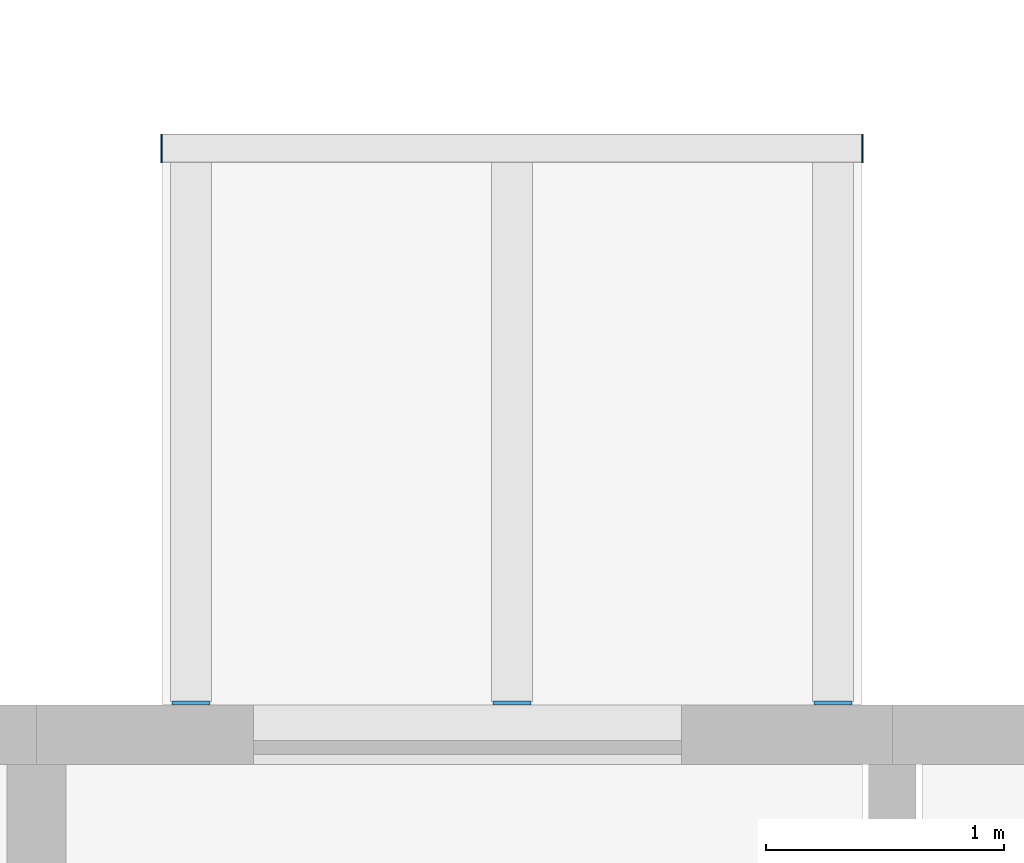
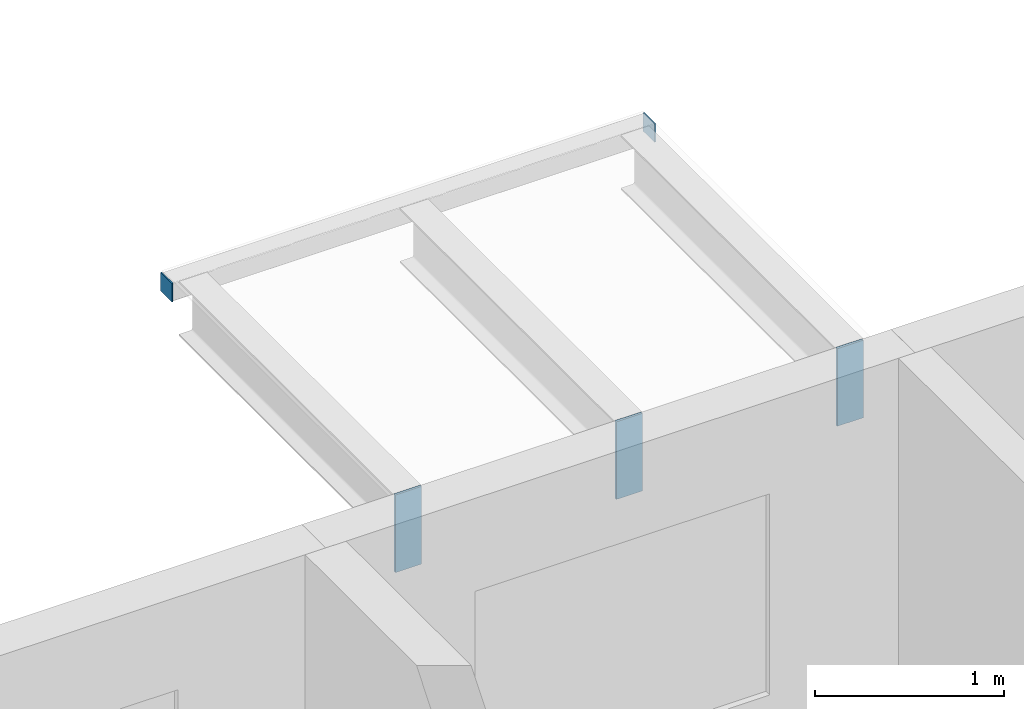
# One storey, part 69 of 99: 5 discrete accessories.
"""IFC4 building model written with IfcOpenShell, lengths in metres."""

import ifcopenshell
import ifcopenshell.guid

model = None  # the IFC model being written
_history = None  # IfcOwnerHistory: only IFC2X3 demands one
_inside = {}  # id of a spatial element -> (the spatial element, [elements in it])
_under = {}  # id of a project, library or spatial element -> (it, [spatial elements below it])
_declared = {}  # id of a project -> (the project, [libraries it declares])
_typed = {}  # id of a type object -> (the type object, [elements of that type])
_made_of = {}  # id of a material, layer set ... -> (it, [elements and type objects made of it])


def new_model(schema):
    """Start an empty IFC model of exactly this schema.

    Asked for "IFC4X3", IfcOpenShell would pick the latest addendum, in which some entities
    have other attributes; the version numbers below select the first issue.
    IFC2X3 requires an IfcOwnerHistory on every rooted entity: one is made here for all.
    """
    global model, _history
    if schema == "IFC4X3":
        model = ifcopenshell.file(schema_version=(4, 3, 0, 0))
    else:
        model = ifcopenshell.file(schema=schema)
    _inside.clear()
    _under.clear()
    _declared.clear()
    _typed.clear()
    _made_of.clear()
    _history = None
    if model.schema == "IFC2X3":
        org = make("IfcOrganization", Name="unknown")
        user = make(
            "IfcPersonAndOrganization",
            ThePerson=make("IfcPerson", FamilyName="unknown"),
            TheOrganization=org,
        )
        app = make(
            "IfcApplication",
            ApplicationDeveloper=org,
            Version="unknown",
            ApplicationFullName="unknown",
            ApplicationIdentifier="unknown",
        )
        _history = make(
            "IfcOwnerHistory",
            OwningUser=user,
            OwningApplication=app,
            ChangeAction="ADDED",
            CreationDate=0,
        )
    return model


def make(cls, **values):
    """One entity of the class cls with the attributes given. An attribute that is None is left unset."""
    return model.create_entity(
        cls, **{name: value for name, value in values.items() if value is not None}
    )


def rooted(cls, **values):
    """An entity with a GlobalId (a new one), such as an element, a storey or a relation."""
    return make(cls, GlobalId=ifcopenshell.guid.new(), OwnerHistory=_history, **values)


def si_unit(unit_type, name, prefix=None):
    """IfcSIUnit, for example si_unit("LENGTHUNIT", "METRE", prefix="MILLI")."""
    return make("IfcSIUnit", UnitType=unit_type, Prefix=prefix, Name=name)


def assignment(units):
    """IfcUnitAssignment: the units of a project."""
    return None if units is None else make("IfcUnitAssignment", Units=units)


def point(xyz):
    """IfcCartesianPoint."""
    return None if xyz is None else make("IfcCartesianPoint", Coordinates=xyz)


def direction(xyz):
    """IfcDirection."""
    return None if xyz is None else make("IfcDirection", DirectionRatios=xyz)


def frame(location, z_axis=None, x_axis=None):
    """IfcAxis2Placement3D, a coordinate frame: its origin and axes. An axis left out is left unset."""
    return make(
        "IfcAxis2Placement3D",
        Location=point(location),
        Axis=direction(z_axis),
        RefDirection=direction(x_axis),
    )


def frame_2d(location, x_axis=None):
    """IfcAxis2Placement2D, a coordinate frame in the plane: its origin and x axis."""
    return make(
        "IfcAxis2Placement2D", Location=point(location), RefDirection=direction(x_axis)
    )


def origin():
    """The frame at (0, 0, 0) with its axes left unset."""
    return frame((0.0, 0.0, 0.0))


def origin_2d():
    """The frame at (0, 0) in the plane with its x axis left unset."""
    return frame_2d((0.0, 0.0))


def place(relative_to, where):
    """IfcLocalPlacement: puts the frame where relative to a parent placement (None: the world)."""
    return make(
        "IfcLocalPlacement", PlacementRelTo=relative_to, RelativePlacement=where
    )


def context(
    kind, dimensions, precision=None, world=None, true_north=None, identifier=None
):
    """IfcGeometricRepresentationContext, for example the 3D "Model" context."""
    return make(
        "IfcGeometricRepresentationContext",
        ContextIdentifier=identifier,
        ContextType=kind,
        CoordinateSpaceDimension=dimensions,
        Precision=precision,
        WorldCoordinateSystem=world,
        TrueNorth=true_north,
    )


def subcontext(parent, identifier, kind, view, scale=None):
    """IfcGeometricRepresentationSubContext, for example "Body" below "Model"."""
    return make(
        "IfcGeometricRepresentationSubContext",
        ContextIdentifier=identifier,
        ContextType=kind,
        ParentContext=parent,
        TargetScale=scale,
        TargetView=view,
    )


def project(units=None, contexts=None):
    """IfcProject with its units and contexts."""
    return rooted(
        "IfcProject",
        Name="project",
        RepresentationContexts=contexts,
        UnitsInContext=assignment(units),
    )


def spatial(cls, under=None, at=None, **own):
    """A site, building, storey or space (cls), placed at a placement, below another one or the project."""
    s = rooted(cls, ObjectPlacement=at, **own)
    if under is not None:
        _under.setdefault(under.id(), (under, []))[1].append(s)
    return s


def profile(cls, at=None, kind="AREA", **sizes):
    """A parametric profile (cls). Its sizes go by their IFC names, for example OverallWidth=200.0."""
    return make(cls, ProfileType=kind, Position=at, **sizes)


def rectangle(**sizes):
    """IfcRectangleProfileDef."""
    return profile("IfcRectangleProfileDef", **sizes)


def extrude(swept, where, along, depth):
    """IfcExtrudedAreaSolid: the profile swept, set in the frame where, extruded along a direction by depth."""
    return make(
        "IfcExtrudedAreaSolid",
        SweptArea=swept,
        Position=where,
        ExtrudedDirection=direction(along),
        Depth=depth,
    )


def shape(context_of_items, identifier, shape_type, items):
    """IfcShapeRepresentation: the items that make up one representation, for example the "Body"."""
    return make(
        "IfcShapeRepresentation",
        ContextOfItems=context_of_items,
        RepresentationIdentifier=identifier,
        RepresentationType=shape_type,
        Items=items,
    )


def material(Name=None, Category=None):
    """IfcMaterial."""
    return make("IfcMaterial", Name=Name, Category=Category)


def layer(
    of_material, thickness, ventilated=None, Name=None, Category=None, Priority=None
):
    """IfcMaterialLayer: one layer of a wall or slab, of a material (None: an air gap)."""
    return make(
        "IfcMaterialLayer",
        Material=of_material,
        LayerThickness=thickness,
        IsVentilated=ventilated,
        Name=Name,
        Category=Category,
        Priority=Priority,
    )


def layer_set(layers, Name=None):
    """IfcMaterialLayerSet."""
    return make("IfcMaterialLayerSet", MaterialLayers=layers, LayerSetName=Name)


def made_of(thing, what):
    """Note that an element or type object is made of a material, layer set ...; save() writes the relation."""
    if what is not None:
        _made_of.setdefault(what.id(), (what, []))[1].append(thing)
    return thing


def type_object(cls, material=None, **own):
    """A type object (cls), such as IfcWallType, which elements share."""
    return made_of(rooted(cls, **own), material)


def element(
    cls,
    number,
    at=None,
    inside=None,
    cuts=None,
    type_object=None,
    material=None,
    context=None,
    identifier="Body",
    shape_type=None,
    held_by="IfcProductDefinitionShape",
    body=None,
    shapes=None,
    **own,
):
    """One element of the class cls, such as IfcWall. Its Tag is "e" and its number.

    at: its placement. inside: the storey or other place that contains it. cuts: it is an
    opening in that element (IfcRelVoidsElement). A single representation is given by context,
    identifier, shape_type and body (its items); several are given by shapes. held_by: the class
    of the entity that holds the representations. save() writes the other relations.
    """
    e = rooted(cls, Tag="e%d" % number, ObjectPlacement=at, **own)
    if body is not None:
        shapes = [shape(context, identifier, shape_type, body)]
    if shapes is not None:
        e.Representation = make(held_by, Representations=shapes)
    if inside is not None:
        _inside.setdefault(inside.id(), (inside, []))[1].append(e)
    if cuts is not None:
        rooted(
            "IfcRelVoidsElement", RelatingBuildingElement=cuts, RelatedOpeningElement=e
        )
    if type_object is not None:
        _typed.setdefault(type_object.id(), (type_object, []))[1].append(e)
    return made_of(e, material)


def aggregate(whole, parts):
    """IfcRelAggregates: a whole, such as a stair, and the parts it consists of."""
    return rooted("IfcRelAggregates", RelatingObject=whole, RelatedObjects=parts)


def save(model, path):
    """Write the relations noted so far, then the file.

    IfcRelAggregates (storeys below a building ...), IfcRelContainedInSpatialStructure (elements
    in a storey), IfcRelDefinesByType, IfcRelAssociatesMaterial and IfcRelDeclares: one each for
    every whole, place, type object, material and project.
    """
    for whole, parts in _under.values():
        aggregate(whole, parts)
    for where, things in _inside.values():
        rooted(
            "IfcRelContainedInSpatialStructure",
            RelatedElements=things,
            RelatingStructure=where,
        )
    for kind, things in _typed.values():
        rooted("IfcRelDefinesByType", RelatedObjects=things, RelatingType=kind)
    for what, things in _made_of.values():
        rooted("IfcRelAssociatesMaterial", RelatedObjects=things, RelatingMaterial=what)
    for by, libraries in _declared.values():
        rooted("IfcRelDeclares", RelatingContext=by, RelatedDefinitions=libraries)
    model.write(path)


model = new_model("IFC4")

# Units and contexts
model_context = context("Model", 3, precision=1e-05, world=origin(), true_north=direction((0.0, 1.0)))
body_context = subcontext(model_context, "Body", "Model", "MODEL_VIEW")
ifc_project = project(units=[si_unit("LENGTHUNIT", "METRE"), si_unit("AREAUNIT", "SQUARE_METRE"), si_unit("VOLUMEUNIT", "CUBIC_METRE"), si_unit("PLANEANGLEUNIT", "RADIAN"), si_unit("MASSUNIT", "GRAM", prefix="KILO")], contexts=[model_context])

# Site, building, storey
site_placement = place(None, origin())
site = spatial("IfcSite", under=ifc_project, at=site_placement, CompositionType="ELEMENT")
building_placement = place(site_placement, origin())
building = spatial("IfcBuilding", under=site, at=building_placement, Name="Ridgestep Commons", CompositionType="ELEMENT")
storey_placement = place(building_placement, frame((0.0, 0.0, 15.0)))
storey = spatial("IfcBuildingStorey", under=building, at=storey_placement, Name="L05", CompositionType="ELEMENT", Elevation=15.0)

# Discrete accessories
ifc_material_1 = material(Name="Weathering steel S355J2W", Category="steel")
ifc_layer_1 = layer(ifc_material_1, 0.014892578125)
ifc_layer_set_1 = layer_set([ifc_layer_1], Name="Tray bracket plate 15")
discrete_accessory_type_1 = type_object("IfcDiscreteAccessoryType", Name="Tray bracket plate 15", PredefinedType="BRACKET", material=ifc_layer_set_1)
for number, where, z_axis, x_axis, name in (
    (1, (224.25, 23.007568359375, 2.488525390625), (0.0, 0.0, 1.0), (1.0, 0.0, 0.0), "Tray bracket D5T2-06.1"),
    (2, (225.60009765625, 23.007568359375, 2.488525390625), (0.0, 0.0, 1.0), (1.0, 0.0, 0.0), "Tray bracket D5T2-06.2"),
    (3, (226.949951171875, 23.007568359375, 2.488525390625), (0.0, 0.0, 1.0), (1.0, 0.0, 0.0), "Tray bracket D5T2-06.3"),
):
    element("IfcDiscreteAccessory", number, at=place(storey_placement, frame(where, z_axis=z_axis, x_axis=x_axis)), inside=storey, type_object=discrete_accessory_type_1, Name=name, PredefinedType="BRACKET", context=body_context, shape_type="SweptSolid", body=[
        extrude(rectangle(XDim=0.159912109375, YDim=0.014892578125, at=origin_2d()), origin(), (0.0, 0.0, 1.0), 0.50146484375),
    ])
ifc_material_2 = material(Name="Weathering steel S355J2W", Category="steel")
ifc_layer_2 = layer(ifc_material_2, 0.008056640625)
ifc_layer_set_2 = layer_set([ifc_layer_2], Name="Tray edge member end plate 120 x 120 x 8")
discrete_accessory_type_2 = type_object("IfcDiscreteAccessoryType", Name="Tray edge member end plate 120 x 120 x 8", PredefinedType="BRACKET", material=ifc_layer_set_2)
for number, where, z_axis, x_axis, name in (
    (4, (224.1259765625, 25.340087890625, 2.869873046875), (0.0, 0.0, 1.0), (1.0, 0.0, 0.0), "Tray edge member end plate D5T2-06 west"),
    (5, (227.073974609375, 25.340087890625, 2.869873046875), (0.0, 0.0, 1.0), (1.0, 0.0, 0.0), "Tray edge member end plate D5T2-06 east"),
):
    element("IfcDiscreteAccessory", number, at=place(storey_placement, frame(where, z_axis=z_axis, x_axis=x_axis)), inside=storey, type_object=discrete_accessory_type_2, Name=name, PredefinedType="BRACKET", context=body_context, shape_type="SweptSolid", body=[
        extrude(rectangle(XDim=0.008056640625, YDim=0.1201171875, at=origin_2d()), origin(), (0.0, 0.0, 1.0), 0.1201171875),
    ])

save(model, "model.ifc")
